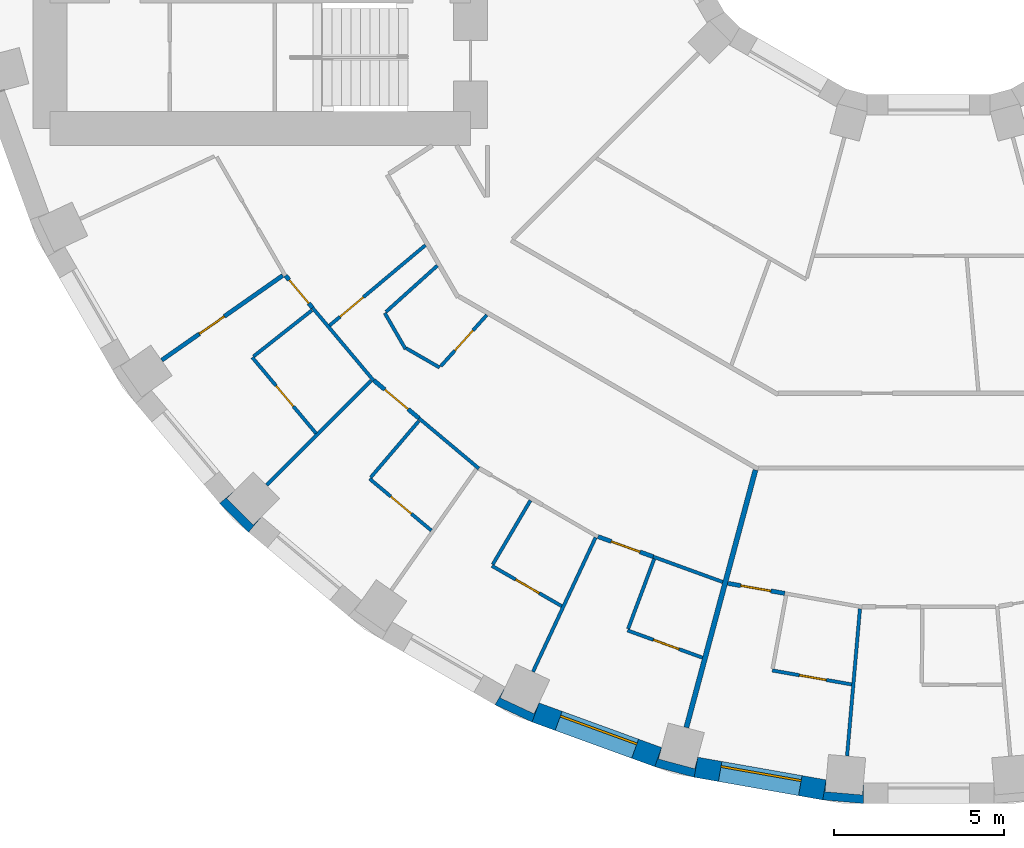
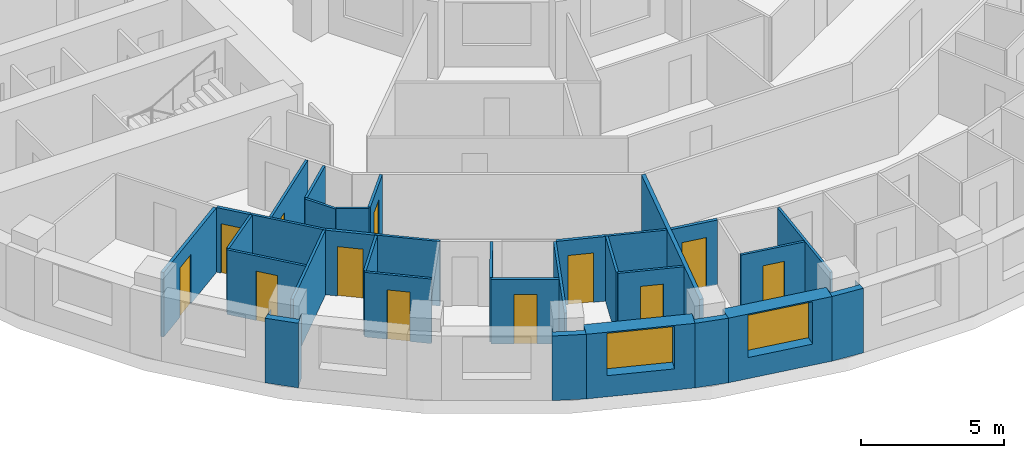
# One storey, part 2 of 14: 32 walls, 12 doors, 2 windows, 14 openings.
"""IFC4 building model written with IfcOpenShell, lengths in metres."""

import ifcopenshell
import ifcopenshell.guid

model = None  # the IFC model being written
_history = None  # IfcOwnerHistory: only IFC2X3 demands one
_inside = {}  # id of a spatial element -> (the spatial element, [elements in it])
_under = {}  # id of a project, library or spatial element -> (it, [spatial elements below it])
_declared = {}  # id of a project -> (the project, [libraries it declares])
_typed = {}  # id of a type object -> (the type object, [elements of that type])
_made_of = {}  # id of a material, layer set ... -> (it, [elements and type objects made of it])


def new_model(schema):
    """Start an empty IFC model of exactly this schema.

    Asked for "IFC4X3", IfcOpenShell would pick the latest addendum, in which some entities
    have other attributes; the version numbers below select the first issue.
    IFC2X3 requires an IfcOwnerHistory on every rooted entity: one is made here for all.
    """
    global model, _history
    if schema == "IFC4X3":
        model = ifcopenshell.file(schema_version=(4, 3, 0, 0))
    else:
        model = ifcopenshell.file(schema=schema)
    _inside.clear()
    _under.clear()
    _declared.clear()
    _typed.clear()
    _made_of.clear()
    _history = None
    if model.schema == "IFC2X3":
        org = make("IfcOrganization", Name="unknown")
        user = make(
            "IfcPersonAndOrganization",
            ThePerson=make("IfcPerson", FamilyName="unknown"),
            TheOrganization=org,
        )
        app = make(
            "IfcApplication",
            ApplicationDeveloper=org,
            Version="unknown",
            ApplicationFullName="unknown",
            ApplicationIdentifier="unknown",
        )
        _history = make(
            "IfcOwnerHistory",
            OwningUser=user,
            OwningApplication=app,
            ChangeAction="ADDED",
            CreationDate=0,
        )
    return model


def make(cls, **values):
    """One entity of the class cls with the attributes given. An attribute that is None is left unset."""
    return model.create_entity(
        cls, **{name: value for name, value in values.items() if value is not None}
    )


def rooted(cls, **values):
    """An entity with a GlobalId (a new one), such as an element, a storey or a relation."""
    return make(cls, GlobalId=ifcopenshell.guid.new(), OwnerHistory=_history, **values)


def si_unit(unit_type, name, prefix=None):
    """IfcSIUnit, for example si_unit("LENGTHUNIT", "METRE", prefix="MILLI")."""
    return make("IfcSIUnit", UnitType=unit_type, Prefix=prefix, Name=name)


def assignment(units):
    """IfcUnitAssignment: the units of a project."""
    return None if units is None else make("IfcUnitAssignment", Units=units)


def point(xyz):
    """IfcCartesianPoint."""
    return None if xyz is None else make("IfcCartesianPoint", Coordinates=xyz)


def direction(xyz):
    """IfcDirection."""
    return None if xyz is None else make("IfcDirection", DirectionRatios=xyz)


def frame(location, z_axis=None, x_axis=None):
    """IfcAxis2Placement3D, a coordinate frame: its origin and axes. An axis left out is left unset."""
    return make(
        "IfcAxis2Placement3D",
        Location=point(location),
        Axis=direction(z_axis),
        RefDirection=direction(x_axis),
    )


def frame_2d(location, x_axis=None):
    """IfcAxis2Placement2D, a coordinate frame in the plane: its origin and x axis."""
    return make(
        "IfcAxis2Placement2D", Location=point(location), RefDirection=direction(x_axis)
    )


def origin():
    """The frame at (0, 0, 0) with its axes left unset."""
    return frame((0.0, 0.0, 0.0))


def place(relative_to, where):
    """IfcLocalPlacement: puts the frame where relative to a parent placement (None: the world)."""
    return make(
        "IfcLocalPlacement", PlacementRelTo=relative_to, RelativePlacement=where
    )


def context(
    kind, dimensions, precision=None, world=None, true_north=None, identifier=None
):
    """IfcGeometricRepresentationContext, for example the 3D "Model" context."""
    return make(
        "IfcGeometricRepresentationContext",
        ContextIdentifier=identifier,
        ContextType=kind,
        CoordinateSpaceDimension=dimensions,
        Precision=precision,
        WorldCoordinateSystem=world,
        TrueNorth=true_north,
    )


def subcontext(parent, identifier, kind, view, scale=None):
    """IfcGeometricRepresentationSubContext, for example "Body" below "Model"."""
    return make(
        "IfcGeometricRepresentationSubContext",
        ContextIdentifier=identifier,
        ContextType=kind,
        ParentContext=parent,
        TargetScale=scale,
        TargetView=view,
    )


def project(units=None, contexts=None):
    """IfcProject with its units and contexts."""
    return rooted(
        "IfcProject",
        Name="project",
        RepresentationContexts=contexts,
        UnitsInContext=assignment(units),
    )


def spatial(cls, under=None, at=None, **own):
    """A site, building, storey or space (cls), placed at a placement, below another one or the project."""
    s = rooted(cls, ObjectPlacement=at, **own)
    if under is not None:
        _under.setdefault(under.id(), (under, []))[1].append(s)
    return s


def polyline(points):
    """IfcPolyline through the points."""
    return make("IfcPolyline", Points=[point(p) for p in points])


def profile(cls, at=None, kind="AREA", **sizes):
    """A parametric profile (cls). Its sizes go by their IFC names, for example OverallWidth=200.0."""
    return make(cls, ProfileType=kind, Position=at, **sizes)


def rectangle(**sizes):
    """IfcRectangleProfileDef."""
    return profile("IfcRectangleProfileDef", **sizes)


def outline(outer, holes=None, kind="AREA"):
    """IfcArbitraryClosedProfileDef: a profile drawn as a closed curve; with holes, ...WithVoids."""
    if holes is None:
        return make("IfcArbitraryClosedProfileDef", ProfileType=kind, OuterCurve=outer)
    return make(
        "IfcArbitraryProfileDefWithVoids",
        ProfileType=kind,
        OuterCurve=outer,
        InnerCurves=holes,
    )


def extrude(swept, where, along, depth):
    """IfcExtrudedAreaSolid: the profile swept, set in the frame where, extruded along a direction by depth."""
    return make(
        "IfcExtrudedAreaSolid",
        SweptArea=swept,
        Position=where,
        ExtrudedDirection=direction(along),
        Depth=depth,
    )


def shape(context_of_items, identifier, shape_type, items):
    """IfcShapeRepresentation: the items that make up one representation, for example the "Body"."""
    return make(
        "IfcShapeRepresentation",
        ContextOfItems=context_of_items,
        RepresentationIdentifier=identifier,
        RepresentationType=shape_type,
        Items=items,
    )


def material(Name=None, Category=None):
    """IfcMaterial."""
    return make("IfcMaterial", Name=Name, Category=Category)


def layer(
    of_material, thickness, ventilated=None, Name=None, Category=None, Priority=None
):
    """IfcMaterialLayer: one layer of a wall or slab, of a material (None: an air gap)."""
    return make(
        "IfcMaterialLayer",
        Material=of_material,
        LayerThickness=thickness,
        IsVentilated=ventilated,
        Name=Name,
        Category=Category,
        Priority=Priority,
    )


def layer_set(layers, Name=None):
    """IfcMaterialLayerSet."""
    return make("IfcMaterialLayerSet", MaterialLayers=layers, LayerSetName=Name)


def made_of(thing, what):
    """Note that an element or type object is made of a material, layer set ...; save() writes the relation."""
    if what is not None:
        _made_of.setdefault(what.id(), (what, []))[1].append(thing)
    return thing


def type_object(cls, material=None, **own):
    """A type object (cls), such as IfcWallType, which elements share."""
    return made_of(rooted(cls, **own), material)


def element(
    cls,
    number,
    at=None,
    inside=None,
    cuts=None,
    type_object=None,
    material=None,
    context=None,
    identifier="Body",
    shape_type=None,
    held_by="IfcProductDefinitionShape",
    body=None,
    shapes=None,
    **own,
):
    """One element of the class cls, such as IfcWall. Its Tag is "e" and its number.

    at: its placement. inside: the storey or other place that contains it. cuts: it is an
    opening in that element (IfcRelVoidsElement). A single representation is given by context,
    identifier, shape_type and body (its items); several are given by shapes. held_by: the class
    of the entity that holds the representations. save() writes the other relations.
    """
    e = rooted(cls, Tag="e%d" % number, ObjectPlacement=at, **own)
    if body is not None:
        shapes = [shape(context, identifier, shape_type, body)]
    if shapes is not None:
        e.Representation = make(held_by, Representations=shapes)
    if inside is not None:
        _inside.setdefault(inside.id(), (inside, []))[1].append(e)
    if cuts is not None:
        rooted(
            "IfcRelVoidsElement", RelatingBuildingElement=cuts, RelatedOpeningElement=e
        )
    if type_object is not None:
        _typed.setdefault(type_object.id(), (type_object, []))[1].append(e)
    return made_of(e, material)


def fill(opening, filler):
    """IfcRelFillsElement: the door or window that sits in an opening."""
    return rooted(
        "IfcRelFillsElement",
        RelatingOpeningElement=opening,
        RelatedBuildingElement=filler,
    )


def aggregate(whole, parts):
    """IfcRelAggregates: a whole, such as a stair, and the parts it consists of."""
    return rooted("IfcRelAggregates", RelatingObject=whole, RelatedObjects=parts)


def save(model, path):
    """Write the relations noted so far, then the file.

    IfcRelAggregates (storeys below a building ...), IfcRelContainedInSpatialStructure (elements
    in a storey), IfcRelDefinesByType, IfcRelAssociatesMaterial and IfcRelDeclares: one each for
    every whole, place, type object, material and project.
    """
    for whole, parts in _under.values():
        aggregate(whole, parts)
    for where, things in _inside.values():
        rooted(
            "IfcRelContainedInSpatialStructure",
            RelatedElements=things,
            RelatingStructure=where,
        )
    for kind, things in _typed.values():
        rooted("IfcRelDefinesByType", RelatedObjects=things, RelatingType=kind)
    for what, things in _made_of.values():
        rooted("IfcRelAssociatesMaterial", RelatedObjects=things, RelatingMaterial=what)
    for by, libraries in _declared.values():
        rooted("IfcRelDeclares", RelatingContext=by, RelatedDefinitions=libraries)
    model.write(path)


model = new_model("IFC4")

# Units and contexts
model_context = context("Model", 3, precision=1e-05, world=origin(), true_north=direction((0.0, 1.0)))
body_context = subcontext(model_context, "Body", "Model", "MODEL_VIEW")
ifc_project = project(units=[si_unit("LENGTHUNIT", "METRE"), si_unit("AREAUNIT", "SQUARE_METRE"), si_unit("VOLUMEUNIT", "CUBIC_METRE"), si_unit("PLANEANGLEUNIT", "RADIAN"), si_unit("MASSUNIT", "GRAM", prefix="KILO")], contexts=[model_context])

# Site, building, storey
site_placement = place(None, origin())
site = spatial("IfcSite", under=ifc_project, at=site_placement, CompositionType="ELEMENT")
building_placement = place(site_placement, origin())
building = spatial("IfcBuilding", under=site, at=building_placement, Name="Saqina Gate Tower", CompositionType="ELEMENT")
storey_placement = place(building_placement, frame((0.0, 0.0, 49.39990234375)))
storey = spatial("IfcBuildingStorey", under=building, at=storey_placement, Name="L13", CompositionType="ELEMENT", Elevation=49.39990234375)

# Walls
ifc_material_1 = material(Name="Brick masonry (red)", Category="masonry")
wall_type_1 = type_object("IfcWallType", Name="BRICK PIER COPING RED", PredefinedType="SOLIDWALL", material=ifc_material_1)
wall_1_placement = place(storey_placement, origin())
element("IfcWall", 1, at=wall_1_placement, inside=storey, type_object=wall_type_1, Name="Pier cap L13 column 23", PredefinedType="SOLIDWALL", context=body_context, shape_type="SweptSolid", body=[
    extrude(outline(polyline([(-20.04296875, -20.894775390625), (-19.6572265625, -20.43505859375), (-19.905029296875, -20.682861328125), (-20.682861328125, -19.905029296875), (-20.43505859375, -19.6572265625), (-20.894775390625, -20.04296875), (-20.04296875, -20.894775390625)])), origin(), (0.0, 0.0, 1.0), 2.75),
])
wall_2_placement = place(storey_placement, origin())
element("IfcWall", 2, at=wall_2_placement, inside=storey, type_object=wall_type_1, Name="Pier cap L13 column 25", PredefinedType="SOLIDWALL", context=body_context, shape_type="SweptSolid", body=[
    extrude(outline(polyline([(-11.687744140625, -26.48974609375), (-11.482666015625, -25.92578125), (-11.630615234375, -26.243408203125), (-12.627685546875, -25.778564453125), (-12.4794921875, -25.4609375), (-12.779541015625, -25.980712890625), (-11.687744140625, -26.48974609375)])), origin(), (0.0, 0.0, 1.0), 2.75),
])
wall_3_placement = place(storey_placement, origin())
element("IfcWall", 3, at=wall_3_placement, inside=storey, type_object=wall_type_1, Name="Pier cap L13 column 26", PredefinedType="SOLIDWALL", context=body_context, shape_type="SweptSolid", body=[
    extrude(outline(polyline([(-6.910400390625, -28.11669921875), (-6.80615234375, -27.52587890625), (-6.896728515625, -27.864501953125), (-7.95947265625, -27.57958984375), (-7.86865234375, -27.2412109375), (-8.073974609375, -27.80517578125), (-6.910400390625, -28.11669921875)])), origin(), (0.0, 0.0, 1.0), 2.75),
])
wall_4_placement = place(storey_placement, origin())
element("IfcWall", 4, at=wall_4_placement, inside=storey, type_object=wall_type_1, Name="Pier cap L13 column 27", PredefinedType="SOLIDWALL", context=body_context, shape_type="SweptSolid", body=[
    extrude(outline(polyline([(-3.122802734375, -28.78466796875), (-1.9228515625, -28.8896484375), (-1.9228515625, -28.28955078125), (-1.95361328125, -28.638671875), (-3.04931640625, -28.54296875), (-3.018798828125, -28.19384765625), (-3.122802734375, -28.78466796875)])), origin(), (0.0, 0.0, 1.0), 2.75),
])

# Wall, opening, window
ifc_material_2 = material(Name="Brick masonry (red)", Category="masonry")
ifc_layer_1 = layer(ifc_material_2, 0.60009765625)
ifc_layer_set_1 = layer_set([ifc_layer_1], Name="FW-BRICK-RED")
wall_type_2 = type_object("IfcWallType", Name="FW-BRICK-RED", PredefinedType="SOLIDWALL", material=ifc_layer_set_1)
wall_5_placement = place(storey_placement, frame((-11.585205078125, -26.207763671875, 0.0), z_axis=(0.0, 0.0, 1.0), x_axis=(0.939689588564, -0.342028474173, 0.0)))
wall_5 = element("IfcWall", 5, at=wall_5_placement, inside=storey, type_object=wall_type_2, Name="Facade wall L13 facet 25", PredefinedType="SOLIDWALL", context=body_context, shape_type="SweptSolid", body=[
    extrude(rectangle(XDim=3.845947265625, YDim=0.60009765625, at=frame_2d((1.9228515625, 0.0))), origin(), (0.0, 0.0, 1.0), 2.75),
])
opening_1_placement = place(wall_5_placement, frame((0.722900390625, 0.0, 0.89990234375)))
opening_1 = element("IfcOpeningElement", 6, at=opening_1_placement, cuts=wall_5, Name="Opening G03-W18", PredefinedType="OPENING", context=body_context, shape_type="SweptSolid", body=[
    extrude(rectangle(XDim=2.39990234375, YDim=1.800048828125, at=frame_2d((1.199951171875, 0.89990234375))), frame((0.0, 0.31201171875, 0.0), z_axis=(0.0, -1.0, 0.0), x_axis=(1.0, 0.0, 0.0)), (0.0, 0.0, 1.0), 0.6240234375),
])
ifc_material_3 = material(Name="Aluminium glazing", Category="aluminium")
window_type = type_object("IfcWindowType", Name="WN-A", PartitioningType="SINGLE_PANEL", PredefinedType="WINDOW", material=ifc_material_3)
window_1_placement = place(opening_1_placement, origin())
window_1 = element("IfcWindow", 7, at=window_1_placement, inside=storey, type_object=window_type, Name="Window L13 facet 25", OverallHeight=1.800048828125, OverallWidth=2.39990234375, PartitioningType="SINGLE_PANEL", PredefinedType="WINDOW", context=body_context, shape_type="SweptSolid", body=[
    extrude(rectangle(XDim=2.39990234375, YDim=1.800048828125, at=frame_2d((1.199951171875, 0.89990234375))), frame((0.0, 0.179931640625, 0.0), z_axis=(0.0, -1.0, 0.0), x_axis=(1.0, 0.0, 0.0)), (0.0, 0.0, 1.0), 0.06005859375),
])
fill(opening_1, window_1)

wall_6_placement = place(storey_placement, frame((-6.858154296875, -27.8212890625, 0.0), z_axis=(0.0, 0.0, 1.0), x_axis=(0.984800809218, -0.173687553279, 0.0)))
wall_6 = element("IfcWall", 8, at=wall_6_placement, inside=storey, type_object=wall_type_2, Name="Facade wall L13 facet 26", PredefinedType="SOLIDWALL", context=body_context, shape_type="SweptSolid", body=[
    extrude(rectangle(XDim=3.845703125, YDim=0.60009765625, at=frame_2d((1.9228515625, 0.0))), origin(), (0.0, 0.0, 1.0), 2.75),
])
opening_2_placement = place(wall_6_placement, frame((0.722900390625, 0.0, 0.89990234375)))
opening_2 = element("IfcOpeningElement", 9, at=opening_2_placement, cuts=wall_6, Name="Opening G03-W19", PredefinedType="OPENING", context=body_context, shape_type="SweptSolid", body=[
    extrude(rectangle(XDim=2.39990234375, YDim=1.800048828125, at=frame_2d((1.199951171875, 0.89990234375))), frame((0.0, 0.31201171875, 0.0), z_axis=(0.0, -1.0, 0.0), x_axis=(1.0, 0.0, 0.0)), (0.0, 0.0, 1.0), 0.6240234375),
])
window_2_placement = place(opening_2_placement, origin())
window_2 = element("IfcWindow", 10, at=window_2_placement, inside=storey, type_object=window_type, Name="Window L13 facet 26", OverallHeight=1.800048828125, OverallWidth=2.39990234375, PartitioningType="SINGLE_PANEL", PredefinedType="WINDOW", context=body_context, shape_type="SweptSolid", body=[
    extrude(rectangle(XDim=2.39990234375, YDim=1.800048828125, at=frame_2d((1.199951171875, 0.89990234375))), frame((0.0, 0.179931640625, 0.0), z_axis=(0.0, -1.0, 0.0), x_axis=(1.0, 0.0, 0.0)), (0.0, 0.0, 1.0), 0.06005859375),
])
fill(opening_2, window_2)

# Wall
ifc_material_4 = material(Name="Gypsum board on steel studs, 100 mm", Category="steel")
ifc_layer_2 = layer(ifc_material_4, 0.10009765625)
ifc_layer_set_2 = layer_set([ifc_layer_2], Name="PARTITION 100")
wall_type_3 = type_object("IfcWallType", Name="PARTITION 100", PredefinedType="PARTITIONING", material=ifc_layer_set_2)
wall_7_placement = place(storey_placement, frame((-16.030029296875, -14.43408203125, 0.0), z_axis=(0.0, 0.0, 1.0), x_axis=(0.499779910804, -0.866152435058, 0.0)))
element("IfcWall", 11, at=wall_7_placement, inside=storey, type_object=wall_type_3, Name="PARTITION PW3-22", PredefinedType="PARTITIONING", context=body_context, shape_type="SweptSolid", body=[
    extrude(rectangle(XDim=1.22607421875, YDim=0.10009765625, at=frame_2d((0.613037109375, 0.0))), origin(), (0.0, 0.0, 1.0), 2.75),
])

# Wall, opening, door
wall_8_placement = place(storey_placement, frame((-19.93408203125, -15.742919921875, 0.0), z_axis=(0.0, 0.0, 1.0), x_axis=(0.642726064959, -0.766096081064, 0.0)))
wall_8 = element("IfcWall", 12, at=wall_8_placement, inside=storey, type_object=wall_type_3, Name="PARTITION PW3-28", PredefinedType="PARTITIONING", context=body_context, shape_type="SweptSolid", body=[
    extrude(rectangle(XDim=2.9248046875, YDim=0.10009765625, at=frame_2d((1.46240234375, 0.0))), origin(), (0.0, 0.0, 1.0), 2.75),
])
opening_3_placement = place(wall_8_placement, frame((1.08740234375, 0.0, 0.0)))
opening_3 = element("IfcOpeningElement", 13, at=opening_3_placement, cuts=wall_8, Name="Opening G03-D44", PredefinedType="OPENING", context=body_context, shape_type="SweptSolid", body=[
    extrude(rectangle(XDim=0.800048828125, YDim=2.10009765625, at=frame_2d((0.39990234375, 1.050048828125))), frame((0.0, 0.06201171875, 0.0), z_axis=(0.0, -1.0, 0.0), x_axis=(1.0, 0.0, 0.0)), (0.0, 0.0, 1.0), 0.1240234375),
])
ifc_material_5 = material(Name="Timber door leaf, 800 mm", Category="wood")
door_type_1 = type_object("IfcDoorType", Name="DOOR 800 TIMBER", OperationType="SINGLE_SWING_LEFT", PredefinedType="DOOR", material=ifc_material_5)
door_1_placement = place(opening_3_placement, frame((0.800048828125, 0.0, 0.0), z_axis=(0.0, 0.0, 1.0), x_axis=(-1.0, 0.0, 0.0)))
door_1 = element("IfcDoor", 14, at=door_1_placement, inside=storey, type_object=door_type_1, Name="DOOR G03-D44", OperationType="SINGLE_SWING_LEFT", OverallHeight=2.10009765625, OverallWidth=0.800048828125, PredefinedType="DOOR", context=body_context, shape_type="SweptSolid", body=[
    extrude(rectangle(XDim=0.800048828125, YDim=2.10009765625, at=frame_2d((0.39990234375, 1.050048828125))), frame((0.0, 0.02490234375, 0.0), z_axis=(0.0, -1.0, 0.0), x_axis=(1.0, 0.0, 0.0)), (0.0, 0.0, 1.0), 0.050048828125),
])
fill(opening_3, door_1)

# Wall
wall_9_placement = place(storey_placement, frame((-18.16015625, -14.27880859375, 0.0), z_axis=(0.0, 0.0, 1.0), x_axis=(0.642859397188, -0.765984200521, 0.0)))
element("IfcWall", 15, at=wall_9_placement, inside=storey, type_object=wall_type_3, Name="PARTITION PW3-29", PredefinedType="PARTITIONING", context=body_context, shape_type="SweptSolid", body=[
    extrude(rectangle(XDim=2.8056640625, YDim=0.10009765625, at=frame_2d((1.40283203125, 0.0))), origin(), (0.0, 0.0, 1.0), 2.75),
])

# Wall, opening, door
wall_10_placement = place(storey_placement, frame((-16.47607421875, -19.319091796875, 0.0), z_axis=(0.0, 0.0, 1.0), x_axis=(0.766109873163, -0.642709625136, 0.0)))
wall_10 = element("IfcWall", 16, at=wall_10_placement, inside=storey, type_object=wall_type_3, Name="PARTITION PW3-38", PredefinedType="PARTITIONING", context=body_context, shape_type="SweptSolid", body=[
    extrude(rectangle(XDim=2.3740234375, YDim=0.10009765625, at=frame_2d((1.18701171875, 0.0))), origin(), (0.0, 0.0, 1.0), 2.75),
])
opening_4_placement = place(wall_10_placement, frame((0.81201171875, 0.0, 0.0)))
opening_4 = element("IfcOpeningElement", 17, at=opening_4_placement, cuts=wall_10, Name="Opening G03-D47", PredefinedType="OPENING", context=body_context, shape_type="SweptSolid", body=[
    extrude(rectangle(XDim=0.800048828125, YDim=2.10009765625, at=frame_2d((0.39990234375, 1.050048828125))), frame((0.0, 0.06201171875, 0.0), z_axis=(0.0, -1.0, 0.0), x_axis=(1.0, 0.0, 0.0)), (0.0, 0.0, 1.0), 0.1240234375),
])
door_2_placement = place(opening_4_placement, frame((0.800048828125, 0.0, 0.0), z_axis=(0.0, 0.0, 1.0), x_axis=(-1.0, 0.0, 0.0)))
door_2 = element("IfcDoor", 18, at=door_2_placement, inside=storey, type_object=door_type_1, Name="DOOR G03-D47", OperationType="SINGLE_SWING_LEFT", OverallHeight=2.10009765625, OverallWidth=0.800048828125, PredefinedType="DOOR", context=body_context, shape_type="SweptSolid", body=[
    extrude(rectangle(XDim=0.800048828125, YDim=2.10009765625, at=frame_2d((0.39990234375, 1.050048828125))), frame((0.0, 0.02490234375, 0.0), z_axis=(0.0, -1.0, 0.0), x_axis=(1.0, 0.0, 0.0)), (0.0, 0.0, 1.0), 0.050048828125),
])
fill(opening_4, door_2)

# Wall
wall_11_placement = place(storey_placement, frame((-15.021240234375, -17.536865234375, 0.0), z_axis=(0.0, 0.0, 1.0), x_axis=(0.766099024104, -0.642722556993, 0.0)))
element("IfcWall", 19, at=wall_11_placement, inside=storey, type_object=wall_type_3, Name="PARTITION PW3-39", PredefinedType="PARTITIONING", context=body_context, shape_type="SweptSolid", body=[
    extrude(rectangle(XDim=2.305419921875, YDim=0.10009765625, at=frame_2d((1.15283203125, 0.0))), origin(), (0.0, 0.0, 1.0), 2.75),
])

# Wall, opening, door
wall_12_placement = place(storey_placement, frame((-12.87109375, -21.885986328125, 0.0), z_axis=(0.0, 0.0, 1.0), x_axis=(0.865944213836, -0.500140598757, 0.0)))
wall_12 = element("IfcWall", 20, at=wall_12_placement, inside=storey, type_object=wall_type_3, Name="PARTITION PW3-44", PredefinedType="PARTITIONING", context=body_context, shape_type="SweptSolid", body=[
    extrude(rectangle(XDim=2.375244140625, YDim=0.10009765625, at=frame_2d((1.1875, 0.0))), origin(), (0.0, 0.0, 1.0), 2.75),
])
opening_5_placement = place(wall_12_placement, frame((0.8125, 0.0, 0.0)))
opening_5 = element("IfcOpeningElement", 21, at=opening_5_placement, cuts=wall_12, Name="Opening G03-D51", PredefinedType="OPENING", context=body_context, shape_type="SweptSolid", body=[
    extrude(rectangle(XDim=0.800048828125, YDim=2.10009765625, at=frame_2d((0.39990234375, 1.050048828125))), frame((0.0, 0.06201171875, 0.0), z_axis=(0.0, -1.0, 0.0), x_axis=(1.0, 0.0, 0.0)), (0.0, 0.0, 1.0), 0.1240234375),
])
door_3_placement = place(opening_5_placement, frame((0.800048828125, 0.0, 0.0), z_axis=(0.0, 0.0, 1.0), x_axis=(-1.0, 0.0, 0.0)))
door_3 = element("IfcDoor", 22, at=door_3_placement, inside=storey, type_object=door_type_1, Name="DOOR G03-D51", OperationType="SINGLE_SWING_LEFT", OverallHeight=2.10009765625, OverallWidth=0.800048828125, PredefinedType="DOOR", context=body_context, shape_type="SweptSolid", body=[
    extrude(rectangle(XDim=0.800048828125, YDim=2.10009765625, at=frame_2d((0.39990234375, 1.050048828125))), frame((0.0, 0.02490234375, 0.0), z_axis=(0.0, -1.0, 0.0), x_axis=(1.0, 0.0, 0.0)), (0.0, 0.0, 1.0), 0.050048828125),
])
fill(opening_5, door_3)

# Wall
wall_13_placement = place(storey_placement, frame((-15.402587890625, -15.470947265625, 0.0), z_axis=(0.0, 0.0, 1.0), x_axis=(0.866117982198, -0.499839615189, 0.0)))
element("IfcWall", 23, at=wall_13_placement, inside=storey, type_object=wall_type_3, Name="PARTITION PW3-46", PredefinedType="PARTITIONING", context=body_context, shape_type="SweptSolid", body=[
    extrude(rectangle(XDim=1.142578125, YDim=0.10009765625, at=frame_2d((0.5712890625, 0.0))), origin(), (0.0, 0.0, 1.0), 2.75),
])

# Wall, opening, door
wall_14_placement = place(storey_placement, frame((-8.875, -23.7890625, 0.0), z_axis=(0.0, 0.0, 1.0), x_axis=(0.939775222713, -0.341793111069, 0.0)))
wall_14 = element("IfcWall", 24, at=wall_14_placement, inside=storey, type_object=wall_type_3, Name="PARTITION PW3-53", PredefinedType="PARTITIONING", context=body_context, shape_type="SweptSolid", body=[
    extrude(rectangle(XDim=2.35009765625, YDim=0.10009765625, at=frame_2d((1.175048828125, 0.0))), origin(), (0.0, 0.0, 1.0), 2.75),
])
opening_6_placement = place(wall_14_placement, frame((0.8125, 0.0, 0.0)))
opening_6 = element("IfcOpeningElement", 25, at=opening_6_placement, cuts=wall_14, Name="Opening G03-D53", PredefinedType="OPENING", context=body_context, shape_type="SweptSolid", body=[
    extrude(rectangle(XDim=0.800048828125, YDim=2.10009765625, at=frame_2d((0.39990234375, 1.050048828125))), frame((0.0, 0.06201171875, 0.0), z_axis=(0.0, -1.0, 0.0), x_axis=(1.0, 0.0, 0.0)), (0.0, 0.0, 1.0), 0.1240234375),
])
door_4_placement = place(opening_6_placement, frame((0.800048828125, 0.0, 0.0), z_axis=(0.0, 0.0, 1.0), x_axis=(-1.0, 0.0, 0.0)))
door_4 = element("IfcDoor", 26, at=door_4_placement, inside=storey, type_object=door_type_1, Name="DOOR G03-D53", OperationType="SINGLE_SWING_LEFT", OverallHeight=2.10009765625, OverallWidth=0.800048828125, PredefinedType="DOOR", context=body_context, shape_type="SweptSolid", body=[
    extrude(rectangle(XDim=0.800048828125, YDim=2.10009765625, at=frame_2d((0.39990234375, 1.050048828125))), frame((0.0, 0.02490234375, 0.0), z_axis=(0.0, -1.0, 0.0), x_axis=(1.0, 0.0, 0.0)), (0.0, 0.0, 1.0), 0.050048828125),
])
fill(opening_6, door_4)

# Wall
wall_15_placement = place(storey_placement, frame((-8.117919921875, -21.616943359375, 0.0), z_axis=(0.0, 0.0, 1.0), x_axis=(0.939718185991, -0.341949895332, 0.0)))
element("IfcWall", 27, at=wall_15_placement, inside=storey, type_object=wall_type_3, Name="PARTITION PW3-54", PredefinedType="PARTITIONING", context=body_context, shape_type="SweptSolid", body=[
    extrude(rectangle(XDim=2.1796875, YDim=0.10009765625, at=frame_2d((1.08984375, 0.0))), origin(), (0.0, 0.0, 1.0), 2.75),
])

# Wall, opening, door
wall_16_placement = place(storey_placement, frame((-4.60888671875, -24.968994140625, 0.0), z_axis=(0.0, 0.0, 1.0), x_axis=(0.984808388541, -0.173644573363, 0.0)))
wall_16 = element("IfcWall", 28, at=wall_16_placement, inside=storey, type_object=wall_type_3, Name="PARTITION PW3-57", PredefinedType="PARTITIONING", context=body_context, shape_type="SweptSolid", body=[
    extrude(rectangle(XDim=2.374755859375, YDim=0.10009765625, at=frame_2d((1.1875, 0.0))), origin(), (0.0, 0.0, 1.0), 2.75),
])
opening_7_placement = place(wall_16_placement, frame((0.8125, 0.0, 0.0)))
opening_7 = element("IfcOpeningElement", 29, at=opening_7_placement, cuts=wall_16, Name="Opening G03-D55", PredefinedType="OPENING", context=body_context, shape_type="SweptSolid", body=[
    extrude(rectangle(XDim=0.800048828125, YDim=2.10009765625, at=frame_2d((0.39990234375, 1.050048828125))), frame((0.0, 0.06201171875, 0.0), z_axis=(0.0, -1.0, 0.0), x_axis=(1.0, 0.0, 0.0)), (0.0, 0.0, 1.0), 0.1240234375),
])
door_5_placement = place(opening_7_placement, frame((0.800048828125, 0.0, 0.0), z_axis=(0.0, 0.0, 1.0), x_axis=(-1.0, 0.0, 0.0)))
door_5 = element("IfcDoor", 30, at=door_5_placement, inside=storey, type_object=door_type_1, Name="DOOR G03-D55", OperationType="SINGLE_SWING_LEFT", OverallHeight=2.10009765625, OverallWidth=0.800048828125, PredefinedType="DOOR", context=body_context, shape_type="SweptSolid", body=[
    extrude(rectangle(XDim=0.800048828125, YDim=2.10009765625, at=frame_2d((0.39990234375, 1.050048828125))), frame((0.0, 0.02490234375, 0.0), z_axis=(0.0, -1.0, 0.0), x_axis=(1.0, 0.0, 0.0)), (0.0, 0.0, 1.0), 0.050048828125),
])
fill(opening_7, door_5)

# Wall
wall_17_placement = place(storey_placement, frame((-19.894775390625, -15.7119140625, 0.0), z_axis=(0.0, 0.0, 1.0), x_axis=(0.784868488399, 0.619662372521, 0.0)))
element("IfcWall", 31, at=wall_17_placement, inside=storey, type_object=wall_type_3, Name="PARTITION PW3-90", PredefinedType="PARTITIONING", context=body_context, shape_type="SweptSolid", body=[
    extrude(rectangle(XDim=2.188720703125, YDim=0.10009765625, at=frame_2d((1.09423828125, 0.0))), origin(), (0.0, 0.0, 1.0), 2.75),
])

# Wall, opening, door
wall_18_placement = place(storey_placement, frame((-17.65478515625, -14.802978515625, 0.0), z_axis=(0.0, 0.0, 1.0), x_axis=(0.766273613589, 0.642514396039, 0.0)))
wall_18 = element("IfcWall", 32, at=wall_18_placement, inside=storey, type_object=wall_type_3, Name="PARTITION PW3-94", PredefinedType="PARTITIONING", context=body_context, shape_type="SweptSolid", body=[
    extrude(rectangle(XDim=3.68505859375, YDim=0.10009765625, at=frame_2d((1.842529296875, 0.0))), origin(), (0.0, 0.0, 1.0), 2.75),
])
opening_8_placement = place(wall_18_placement, frame((0.398681640625, 0.0, 0.0)))
opening_8 = element("IfcOpeningElement", 33, at=opening_8_placement, cuts=wall_18, Name="Opening G03-D43", PredefinedType="OPENING", context=body_context, shape_type="SweptSolid", body=[
    extrude(rectangle(XDim=0.89990234375, YDim=2.10009765625, at=frame_2d((0.449951171875, 1.050048828125))), frame((0.0, 0.06201171875, 0.0), z_axis=(0.0, -1.0, 0.0), x_axis=(1.0, 0.0, 0.0)), (0.0, 0.0, 1.0), 0.1240234375),
])
ifc_material_6 = material(Name="Timber door leaf, 900 mm", Category="wood")
door_type_2 = type_object("IfcDoorType", Name="DOOR 900 TIMBER", OperationType="SINGLE_SWING_LEFT", PredefinedType="DOOR", material=ifc_material_6)
door_6_placement = place(opening_8_placement, frame((0.89990234375, 0.0, 0.0), z_axis=(0.0, 0.0, 1.0), x_axis=(-1.0, 0.0, 0.0)))
door_6 = element("IfcDoor", 34, at=door_6_placement, inside=storey, type_object=door_type_2, Name="DOOR G03-D43", OperationType="SINGLE_SWING_RIGHT", OverallHeight=2.10009765625, OverallWidth=0.89990234375, PredefinedType="DOOR", context=body_context, shape_type="SweptSolid", body=[
    extrude(rectangle(XDim=0.89990234375, YDim=2.10009765625, at=frame_2d((0.449951171875, 1.050048828125))), frame((0.0, 0.02490234375, 0.0), z_axis=(0.0, -1.0, 0.0), x_axis=(1.0, 0.0, 0.0)), (0.0, 0.0, 1.0), 0.050048828125),
])
fill(opening_8, door_6)

# Walls
wall_19_placement = place(storey_placement, frame((-15.992919921875, -14.400634765625, 0.0), z_axis=(0.0, 0.0, 1.0), x_axis=(0.74316878737, 0.669103993022, 0.0)))
element("IfcWall", 35, at=wall_19_placement, inside=storey, type_object=wall_type_3, Name="PARTITION PW3-97", PredefinedType="PARTITIONING", context=body_context, shape_type="SweptSolid", body=[
    extrude(rectangle(XDim=2.033935546875, YDim=0.10009765625, at=frame_2d((1.01708984375, 0.0))), origin(), (0.0, 0.0, 1.0), 2.75),
])
wall_20_placement = place(storey_placement, frame((-19.509033203125, -19.509033203125, 0.0), z_axis=(0.0, 0.0, 1.0), x_axis=(0.707106781187, 0.707106781187, 0.0)))
element("IfcWall", 36, at=wall_20_placement, inside=storey, type_object=wall_type_3, Name="PARTITION PW3-98", PredefinedType="PARTITIONING", context=body_context, shape_type="SweptSolid", body=[
    extrude(rectangle(XDim=4.35009765625, YDim=0.10009765625, at=frame_2d((2.175048828125, 0.0))), origin(), (0.0, 0.0, 1.0), 2.75),
])

# Wall, opening, door
wall_21_placement = place(storey_placement, frame((-14.379638671875, -16.0048828125, 0.0), z_axis=(0.0, 0.0, 1.0), x_axis=(0.668334266264, 0.743861081478, 0.0)))
wall_21 = element("IfcWall", 37, at=wall_21_placement, inside=storey, type_object=wall_type_3, Name="PARTITION PW3-99", PredefinedType="PARTITIONING", context=body_context, shape_type="SweptSolid", body=[
    extrude(rectangle(XDim=2.033203125, YDim=0.10009765625, at=frame_2d((1.0166015625, 0.0))), origin(), (0.0, 0.0, 1.0), 2.75),
])
opening_9_placement = place(wall_21_placement, frame((0.622802734375, 0.0, 0.0)))
opening_9 = element("IfcOpeningElement", 38, at=opening_9_placement, cuts=wall_21, Name="Opening G03-D46", PredefinedType="OPENING", context=body_context, shape_type="SweptSolid", body=[
    extrude(rectangle(XDim=0.800048828125, YDim=2.10009765625, at=frame_2d((0.39990234375, 1.050048828125))), frame((0.0, 0.06201171875, 0.0), z_axis=(0.0, -1.0, 0.0), x_axis=(1.0, 0.0, 0.0)), (0.0, 0.0, 1.0), 0.1240234375),
])
door_7_placement = place(opening_9_placement, frame((0.800048828125, 0.0, 0.0), z_axis=(0.0, 0.0, 1.0), x_axis=(-1.0, 0.0, 0.0)))
door_7 = element("IfcDoor", 39, at=door_7_placement, inside=storey, type_object=door_type_1, Name="DOOR G03-D46", OperationType="SINGLE_SWING_LEFT", OverallHeight=2.10009765625, OverallWidth=0.800048828125, PredefinedType="DOOR", context=body_context, shape_type="SweptSolid", body=[
    extrude(rectangle(XDim=0.800048828125, YDim=2.10009765625, at=frame_2d((0.39990234375, 1.050048828125))), frame((0.0, 0.02490234375, 0.0), z_axis=(0.0, -1.0, 0.0), x_axis=(1.0, 0.0, 0.0)), (0.0, 0.0, 1.0), 0.050048828125),
])
fill(opening_9, door_7)

# Walls
wall_22_placement = place(storey_placement, frame((-16.443603515625, -19.281005859375, 0.0), z_axis=(0.0, 0.0, 1.0), x_axis=(0.648988401233, 0.760798301171, 0.0)))
element("IfcWall", 40, at=wall_22_placement, inside=storey, type_object=wall_type_3, Name="PARTITION PW3-100", PredefinedType="PARTITIONING", context=body_context, shape_type="SweptSolid", body=[
    extrude(rectangle(XDim=2.18798828125, YDim=0.10009765625, at=frame_2d((1.093994140625, 0.0))), origin(), (0.0, 0.0, 1.0), 2.75),
])
wall_23_placement = place(storey_placement, frame((-12.845703125, -21.843017578125, 0.0), z_axis=(0.0, 0.0, 1.0), x_axis=(0.507073781844, 0.86190265098, 0.0)))
element("IfcWall", 41, at=wall_23_placement, inside=storey, type_object=wall_type_3, Name="PARTITION PW3-107", PredefinedType="PARTITIONING", context=body_context, shape_type="SweptSolid", body=[
    extrude(rectangle(XDim=2.187255859375, YDim=0.10009765625, at=frame_2d((1.09375, 0.0))), origin(), (0.0, 0.0, 1.0), 2.75),
])
wall_24_placement = place(storey_placement, frame((-11.659912109375, -25.005126953125, 0.0), z_axis=(0.0, 0.0, 1.0), x_axis=(0.422625040743, 0.906304625905, 0.0)))
element("IfcWall", 42, at=wall_24_placement, inside=storey, type_object=wall_type_3, Name="PARTITION PW3-112", PredefinedType="PARTITIONING", context=body_context, shape_type="SweptSolid", body=[
    extrude(rectangle(XDim=4.362548828125, YDim=0.10009765625, at=frame_2d((2.18115234375, 0.0))), origin(), (0.0, 0.0, 1.0), 2.75),
])
wall_25_placement = place(storey_placement, frame((-8.857421875, -23.7421875, 0.0), z_axis=(0.0, 0.0, 1.0), x_axis=(0.349554173345, 0.936916154144, 0.0)))
element("IfcWall", 43, at=wall_25_placement, inside=storey, type_object=wall_type_3, Name="PARTITION PW3-114", PredefinedType="PARTITIONING", context=body_context, shape_type="SweptSolid", body=[
    extrude(rectangle(XDim=2.199951171875, YDim=0.10009765625, at=frame_2d((1.10009765625, 0.0))), origin(), (0.0, 0.0, 1.0), 2.75),
])
wall_26_placement = place(storey_placement, frame((-2.404296875, -27.485107421875, 0.0), z_axis=(0.0, 0.0, 1.0), x_axis=(0.087174609927, 0.996193047247, 0.0)))
element("IfcWall", 44, at=wall_26_placement, inside=storey, type_object=wall_type_3, Name="PARTITION PW3-126", PredefinedType="PARTITIONING", context=body_context, shape_type="SweptSolid", body=[
    extrude(rectangle(XDim=4.349365234375, YDim=0.10009765625, at=frame_2d((2.1748046875, 0.0))), origin(), (0.0, 0.0, 1.0), 2.75),
])

# Wall, opening, door
ifc_material_7 = material(Name="Gypsum board on steel studs, 125 mm, fire rated", Category="steel")
ifc_layer_3 = layer(ifc_material_7, 0.125)
ifc_layer_set_3 = layer_set([ifc_layer_3], Name="PARTITION EI 30 125")
wall_type_4 = type_object("IfcWallType", Name="PARTITION EI 30 125", PredefinedType="PARTITIONING", material=ifc_layer_set_3)
wall_27_placement = place(storey_placement, frame((-18.953857421875, -13.332275390625, 0.0), z_axis=(0.0, 0.0, 1.0), x_axis=(0.642533660644, -0.766257459956, 0.0)))
wall_27 = element("IfcWall", 45, at=wall_27_placement, inside=storey, type_object=wall_type_4, Name="PARTITION PW1-05", PredefinedType="PARTITIONING", context=body_context, shape_type="SweptSolid", body=[
    extrude(rectangle(XDim=1.2353515625, YDim=0.125, at=frame_2d((0.61767578125, 0.0))), origin(), (0.0, 0.0, 1.0), 2.75),
])
opening_10_placement = place(wall_27_placement, frame((0.16748046875, 0.0, 0.0)))
opening_10 = element("IfcOpeningElement", 46, at=opening_10_placement, cuts=wall_27, Name="Opening G03-D42", PredefinedType="OPENING", context=body_context, shape_type="SweptSolid", body=[
    extrude(rectangle(XDim=0.89990234375, YDim=2.10009765625, at=frame_2d((0.449951171875, 1.050048828125))), frame((0.0, 0.074462890625, 0.0), z_axis=(0.0, -1.0, 0.0), x_axis=(1.0, 0.0, 0.0)), (0.0, 0.0, 1.0), 0.14892578125),
])
ifc_material_8 = material(Name="Fire door leaf EI 30, 900 mm")
door_type_3 = type_object("IfcDoorType", Name="DOOR 900 EI 30", OperationType="SINGLE_SWING_LEFT", PredefinedType="DOOR", material=ifc_material_8)
door_8_placement = place(opening_10_placement, origin())
door_8 = element("IfcDoor", 47, at=door_8_placement, inside=storey, type_object=door_type_3, Name="DOOR G03-D42", OperationType="SINGLE_SWING_LEFT", OverallHeight=2.10009765625, OverallWidth=0.89990234375, PredefinedType="DOOR", context=body_context, shape_type="SweptSolid", body=[
    extrude(rectangle(XDim=0.89990234375, YDim=2.10009765625, at=frame_2d((0.449951171875, 1.050048828125))), frame((0.0, 0.02490234375, 0.0), z_axis=(0.0, -1.0, 0.0), x_axis=(1.0, 0.0, 0.0)), (0.0, 0.0, 1.0), 0.050048828125),
])
fill(opening_10, door_8)

wall_28_placement = place(storey_placement, frame((-16.3505859375, -16.421142578125, 0.0), z_axis=(0.0, 0.0, 1.0), x_axis=(0.765968068891, -0.642878617967, 0.0)))
wall_28 = element("IfcWall", 48, at=wall_28_placement, inside=storey, type_object=wall_type_4, Name="PARTITION PW1-08", PredefinedType="PARTITIONING", context=body_context, shape_type="SweptSolid", body=[
    extrude(rectangle(XDim=1.735595703125, YDim=0.125, at=frame_2d((0.86767578125, 0.0))), origin(), (0.0, 0.0, 1.0), 2.75),
])
opening_11_placement = place(wall_28_placement, frame((0.417724609375, 0.0, 0.0)))
opening_11 = element("IfcOpeningElement", 49, at=opening_11_placement, cuts=wall_28, Name="Opening G03-D45", PredefinedType="OPENING", context=body_context, shape_type="SweptSolid", body=[
    extrude(rectangle(XDim=0.89990234375, YDim=2.10009765625, at=frame_2d((0.449951171875, 1.050048828125))), frame((0.0, 0.074462890625, 0.0), z_axis=(0.0, -1.0, 0.0), x_axis=(1.0, 0.0, 0.0)), (0.0, 0.0, 1.0), 0.14892578125),
])
door_9_placement = place(opening_11_placement, origin())
door_9 = element("IfcDoor", 50, at=door_9_placement, inside=storey, type_object=door_type_3, Name="DOOR G03-D45", OperationType="SINGLE_SWING_LEFT", OverallHeight=2.10009765625, OverallWidth=0.89990234375, PredefinedType="DOOR", context=body_context, shape_type="SweptSolid", body=[
    extrude(rectangle(XDim=0.89990234375, YDim=2.10009765625, at=frame_2d((0.449951171875, 1.050048828125))), frame((0.0, 0.02490234375, 0.0), z_axis=(0.0, -1.0, 0.0), x_axis=(1.0, 0.0, 0.0)), (0.0, 0.0, 1.0), 0.050048828125),
])
fill(opening_11, door_9)

wall_29_placement = place(storey_placement, frame((-9.748046875, -21.023193359375, 0.0), z_axis=(0.0, 0.0, 1.0), x_axis=(0.939612508188, -0.342240170722, 0.0)))
wall_29 = element("IfcWall", 51, at=wall_29_placement, inside=storey, type_object=wall_type_4, Name="PARTITION PW1-21", PredefinedType="PARTITIONING", context=body_context, shape_type="SweptSolid", body=[
    extrude(rectangle(XDim=1.73486328125, YDim=0.125, at=frame_2d((0.867431640625, 0.0))), origin(), (0.0, 0.0, 1.0), 2.75),
])
opening_12_placement = place(wall_29_placement, frame((0.41748046875, 0.0, 0.0)))
opening_12 = element("IfcOpeningElement", 52, at=opening_12_placement, cuts=wall_29, Name="Opening G03-D52", PredefinedType="OPENING", context=body_context, shape_type="SweptSolid", body=[
    extrude(rectangle(XDim=0.89990234375, YDim=2.10009765625, at=frame_2d((0.449951171875, 1.050048828125))), frame((0.0, 0.074462890625, 0.0), z_axis=(0.0, -1.0, 0.0), x_axis=(1.0, 0.0, 0.0)), (0.0, 0.0, 1.0), 0.14892578125),
])
door_10_placement = place(opening_12_placement, origin())
door_10 = element("IfcDoor", 53, at=door_10_placement, inside=storey, type_object=door_type_3, Name="DOOR G03-D52", OperationType="SINGLE_SWING_LEFT", OverallHeight=2.10009765625, OverallWidth=0.89990234375, PredefinedType="DOOR", context=body_context, shape_type="SweptSolid", body=[
    extrude(rectangle(XDim=0.89990234375, YDim=2.10009765625, at=frame_2d((0.449951171875, 1.050048828125))), frame((0.0, 0.02490234375, 0.0), z_axis=(0.0, -1.0, 0.0), x_axis=(1.0, 0.0, 0.0)), (0.0, 0.0, 1.0), 0.050048828125),
])
fill(opening_12, door_10)

wall_30_placement = place(storey_placement, frame((-5.925048828125, -22.401123046875, 0.0), z_axis=(0.0, 0.0, 1.0), x_axis=(0.984786433544, -0.173769043008, 0.0)))
wall_30 = element("IfcWall", 54, at=wall_30_placement, inside=storey, type_object=wall_type_4, Name="PARTITION PW1-22", PredefinedType="PARTITIONING", context=body_context, shape_type="SweptSolid", body=[
    extrude(rectangle(XDim=1.7099609375, YDim=0.125, at=frame_2d((0.85498046875, 0.0))), origin(), (0.0, 0.0, 1.0), 2.75),
])
opening_13_placement = place(wall_30_placement, frame((0.392578125, 0.0, 0.0)))
opening_13 = element("IfcOpeningElement", 55, at=opening_13_placement, cuts=wall_30, Name="Opening G03-D54", PredefinedType="OPENING", context=body_context, shape_type="SweptSolid", body=[
    extrude(rectangle(XDim=0.89990234375, YDim=2.10009765625, at=frame_2d((0.449951171875, 1.050048828125))), frame((0.0, 0.074462890625, 0.0), z_axis=(0.0, -1.0, 0.0), x_axis=(1.0, 0.0, 0.0)), (0.0, 0.0, 1.0), 0.14892578125),
])
door_11_placement = place(opening_13_placement, origin())
door_11 = element("IfcDoor", 56, at=door_11_placement, inside=storey, type_object=door_type_3, Name="DOOR G03-D54", OperationType="SINGLE_SWING_LEFT", OverallHeight=2.10009765625, OverallWidth=0.89990234375, PredefinedType="DOOR", context=body_context, shape_type="SweptSolid", body=[
    extrude(rectangle(XDim=0.89990234375, YDim=2.10009765625, at=frame_2d((0.449951171875, 1.050048828125))), frame((0.0, 0.02490234375, 0.0), z_axis=(0.0, -1.0, 0.0), x_axis=(1.0, 0.0, 0.0)), (0.0, 0.0, 1.0), 0.050048828125),
])
fill(opening_13, door_11)

wall_31_placement = place(storey_placement, frame((-22.6005859375, -15.824951171875, 0.0), z_axis=(0.0, 0.0, 1.0), x_axis=(0.819158088694, 0.57356780395, 0.0)))
wall_31 = element("IfcWall", 57, at=wall_31_placement, inside=storey, type_object=wall_type_4, Name="PARTITION PW1-44", PredefinedType="PARTITIONING", context=body_context, shape_type="SweptSolid", body=[
    extrude(rectangle(XDim=4.35009765625, YDim=0.125, at=frame_2d((2.175048828125, 0.0))), origin(), (0.0, 0.0, 1.0), 2.75),
])
opening_14_placement = place(wall_31_placement, frame((1.3525390625, 0.0, 0.0)))
opening_14 = element("IfcOpeningElement", 58, at=opening_14_placement, cuts=wall_31, Name="Opening G03-D40", PredefinedType="OPENING", context=body_context, shape_type="SweptSolid", body=[
    extrude(rectangle(XDim=0.89990234375, YDim=2.10009765625, at=frame_2d((0.449951171875, 1.050048828125))), frame((0.0, 0.074462890625, 0.0), z_axis=(0.0, -1.0, 0.0), x_axis=(1.0, 0.0, 0.0)), (0.0, 0.0, 1.0), 0.14892578125),
])
door_12_placement = place(opening_14_placement, origin())
door_12 = element("IfcDoor", 59, at=door_12_placement, inside=storey, type_object=door_type_3, Name="DOOR G03-D40", OperationType="SINGLE_SWING_LEFT", OverallHeight=2.10009765625, OverallWidth=0.89990234375, PredefinedType="DOOR", context=body_context, shape_type="SweptSolid", body=[
    extrude(rectangle(XDim=0.89990234375, YDim=2.10009765625, at=frame_2d((0.449951171875, 1.050048828125))), frame((0.0, 0.02490234375, 0.0), z_axis=(0.0, -1.0, 0.0), x_axis=(1.0, 0.0, 0.0)), (0.0, 0.0, 1.0), 0.050048828125),
])
fill(opening_14, door_12)

# Wall
ifc_material_9 = material(Name="Gypsum board on steel studs, 150 mm, fire rated", Category="steel")
ifc_layer_4 = layer(ifc_material_9, 0.14990234375)
ifc_layer_set_4 = layer_set([ifc_layer_4], Name="PARTITION EI 60 150")
wall_type_5 = type_object("IfcWallType", Name="PARTITION EI 60 150", PredefinedType="PARTITIONING", material=ifc_layer_set_4)
wall_32_placement = place(storey_placement, frame((-7.140625, -26.64990234375, 0.0), z_axis=(0.0, 0.0, 1.0), x_axis=(0.259110891803, 0.965847578943, 0.0)))
element("IfcWall", 60, at=wall_32_placement, inside=storey, type_object=wall_type_5, Name="PARTITION PW2-03", PredefinedType="PARTITIONING", context=body_context, shape_type="SweptSolid", body=[
    extrude(rectangle(XDim=7.857177734375, YDim=0.14990234375, at=frame_2d((3.9287109375, 0.0))), origin(), (0.0, 0.0, 1.0), 2.75),
])

save(model, "model.ifc")
